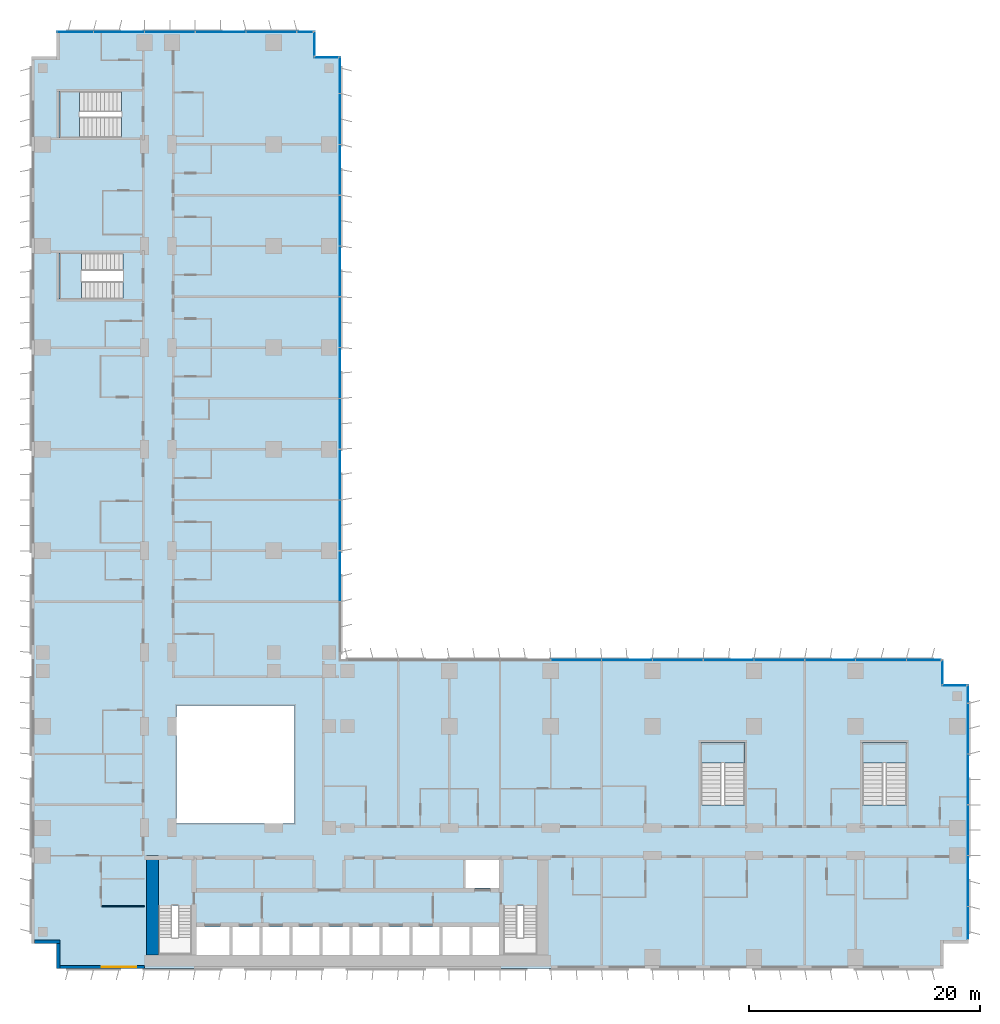
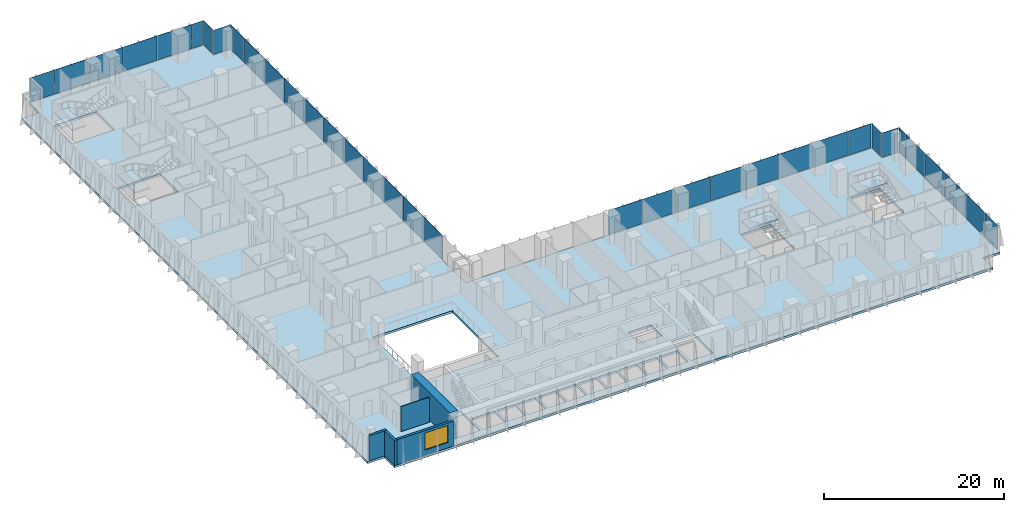
# One storey, part 11 of 24: 35 plates, 5 slabs, 5 walls, 1 window, 1 opening, 12 elements without a shape of their own.
"""IFC4 building model written with IfcOpenShell, lengths in metres."""

from ifc_helpers import new_model, si_unit, direction, frame, frame_2d, origin, origin_2d, place, context, subcontext, project, spatial, polyline, rectangle, outline, extrude, source, transform, mapped, material, layer, layer_set, type_object, element, fill, aggregate, save


model = new_model("IFC4")

# Units and contexts
model_context = context("Model", 3, precision=1e-05, world=origin(), true_north=direction((0.0, 1.0)))
body_context = subcontext(model_context, "Body", "Model", "MODEL_VIEW")
ifc_project = project(units=[si_unit("LENGTHUNIT", "METRE"), si_unit("AREAUNIT", "SQUARE_METRE"), si_unit("VOLUMEUNIT", "CUBIC_METRE"), si_unit("PLANEANGLEUNIT", "RADIAN"), si_unit("MASSUNIT", "GRAM", prefix="KILO")], contexts=[model_context])

# Site, building, storey
site_placement = place(None, origin())
site = spatial("IfcSite", under=ifc_project, at=site_placement, CompositionType="ELEMENT")
building_placement = place(site_placement, origin())
building = spatial("IfcBuilding", under=site, at=building_placement, Name="Kemantara Hotel Tower", CompositionType="ELEMENT")
storey_placement = place(building_placement, frame((0.0, 0.0, 56.199951171875)))
storey = spatial("IfcBuildingStorey", under=building, at=storey_placement, Name="L12", CompositionType="ELEMENT", Elevation=56.199951171875)

# Slab
ifc_material_1 = material(Name="Concrete fc 40 MPa", Category="concrete")
ifc_layer_1 = layer(ifc_material_1, 0.300048828125)
ifc_layer_set_1 = layer_set([ifc_layer_1], Name="Concrete fc 40 MPa")
slab_type_1 = type_object("IfcSlabType", Name="POST-TENSIONED FLAT PLATE 300", PredefinedType="FLOOR", material=ifc_layer_set_1)
slab_1_placement = place(storey_placement, frame((0.0, 0.0, -0.300048828125)))
element("IfcSlab", 1, at=slab_1_placement, inside=storey, type_object=slab_type_1, Name="FLOOR SLAB L12", PredefinedType="FLOOR", context=body_context, shape_type="SweptSolid", body=[
    extrude(outline(polyline([(0.0, 2.199951171875), (2.199951171875, 2.199951171875), (2.199951171875, 0.0), (79.0, 0.0), (79.0, 2.199951171875), (81.199951171875, 2.199951171875), (81.199951171875, 24.60009765625), (79.0, 24.60009765625), (79.0, 26.800048828125), (26.800048828125, 26.800048828125), (26.800048828125, 79.0), (24.60009765625, 79.0), (24.60009765625, 81.199951171875), (2.199951171875, 81.199951171875), (2.199951171875, 79.0), (0.0, 79.0), (0.0, 2.199951171875)]), holes=[polyline([(17.175048828125, 1.199951171875), (14.22509765625, 1.199951171875), (14.22509765625, 3.60009765625), (17.175048828125, 3.60009765625), (17.175048828125, 1.199951171875)]), polyline([(19.77490234375, 1.199951171875), (17.425048828125, 1.199951171875), (17.425048828125, 3.60009765625), (19.77490234375, 3.60009765625), (19.77490234375, 1.199951171875)]), polyline([(22.375, 1.199951171875), (20.02490234375, 1.199951171875), (20.02490234375, 3.60009765625), (22.375, 3.60009765625), (22.375, 1.199951171875)]), polyline([(24.97509765625, 1.199951171875), (22.625, 1.199951171875), (22.625, 3.60009765625), (24.97509765625, 3.60009765625), (24.97509765625, 1.199951171875)]), polyline([(27.574951171875, 1.199951171875), (25.22509765625, 1.199951171875), (25.22509765625, 3.60009765625), (27.574951171875, 3.60009765625), (27.574951171875, 1.199951171875)]), polyline([(11.0, 1.199951171875), (11.0, 5.49951171875), (13.89990234375, 5.49951171875), (13.89990234375, 1.199951171875), (11.0, 1.199951171875)]), polyline([(22.800048828125, 12.60009765625), (12.60009765625, 12.60009765625), (12.60009765625, 22.800048828125), (22.800048828125, 22.800048828125), (22.800048828125, 12.60009765625)]), polyline([(7.949462890625, 62.0), (7.949462890625, 58.0), (2.39990234375, 58.0), (2.39990234375, 62.0), (7.949462890625, 62.0)]), polyline([(7.79931640625, 76.0), (7.79931640625, 72.0), (2.39990234375, 72.0), (2.39990234375, 76.0), (7.79931640625, 76.0)]), polyline([(30.175048828125, 1.199951171875), (27.824951171875, 1.199951171875), (27.824951171875, 3.60009765625), (30.175048828125, 3.60009765625), (30.175048828125, 1.199951171875)]), polyline([(32.77490234375, 1.199951171875), (30.425048828125, 1.199951171875), (30.425048828125, 3.60009765625), (32.77490234375, 3.60009765625), (32.77490234375, 1.199951171875)]), polyline([(35.375, 1.199951171875), (33.02490234375, 1.199951171875), (33.02490234375, 3.60009765625), (35.375, 3.60009765625), (35.375, 1.199951171875)]), polyline([(37.97509765625, 1.199951171875), (35.625, 1.199951171875), (35.625, 3.60009765625), (37.97509765625, 3.60009765625), (37.97509765625, 1.199951171875)]), polyline([(40.574951171875, 1.199951171875), (38.22509765625, 1.199951171875), (38.22509765625, 3.60009765625), (40.574951171875, 3.60009765625), (40.574951171875, 1.199951171875)]), polyline([(40.89990234375, 1.199951171875), (40.89990234375, 5.49951171875), (43.800048828125, 5.49951171875), (43.800048828125, 1.199951171875), (40.89990234375, 1.199951171875)]), polyline([(40.574951171875, 7.0), (37.625, 7.0), (37.625, 9.39990234375), (40.574951171875, 9.39990234375), (40.574951171875, 7.0)]), polyline([(61.800048828125, 14.20068359375), (58.0, 14.20068359375), (58.0, 19.60009765625), (61.800048828125, 19.60009765625), (61.800048828125, 14.20068359375)]), polyline([(75.800048828125, 14.20068359375), (72.0, 14.20068359375), (72.0, 19.60009765625), (75.800048828125, 19.60009765625), (75.800048828125, 14.20068359375)])]), origin(), (0.0, 0.0, 1.0), 0.300048828125),
])

# Stair, slab
stair_type_1 = type_object("IfcStairType", Name="Stair 1800 wide 22 risers of 168 x 360 mm", PredefinedType="HALF_TURN_STAIR", material=ifc_material_1)
stair_1_placement = place(storey_placement, origin())
stair_1 = element("IfcStair", 2, at=stair_1_placement, inside=storey, type_object=stair_type_1, Name="L12 Exit stair ST3", PredefinedType="HALF_TURN_STAIR")
ifc_layer_2 = layer(ifc_material_1, 0.199951171875)
ifc_layer_set_2 = layer_set([ifc_layer_2], Name="Concrete fc 40 MPa")
slab_type_2 = type_object("IfcSlabType", Name="Stair landing 200 mm", PredefinedType="LANDING", material=ifc_layer_set_2)
slab_2_placement = place(storey_placement, frame((0.0, 0.0, 1.650146484375)))
slab_2 = element("IfcSlab", 3, at=slab_2_placement, type_object=slab_type_2, Name="ST3 landing 1", PredefinedType="LANDING", context=body_context, shape_type="SweptSolid", body=[
    extrude(outline(polyline([(61.800048828125, 17.800048828125), (61.800048828125, 19.60009765625), (58.0, 19.60009765625), (58.0, 17.800048828125), (61.800048828125, 17.800048828125)])), origin(), (0.0, 0.0, 1.0), 0.199951171875),
])
aggregate(stair_1, [slab_2])

stair_type_2 = type_object("IfcStairType", Name="Stair 1550 wide 22 risers of 168 x 360 mm", PredefinedType="HALF_TURN_STAIR", material=ifc_material_1)
stair_2_placement = place(storey_placement, origin())
stair_2 = element("IfcStair", 4, at=stair_2_placement, inside=storey, type_object=stair_type_2, Name="L12 Exit stair ST4", PredefinedType="HALF_TURN_STAIR")
slab_3_placement = place(storey_placement, frame((0.0, 0.0, 1.650146484375)))
slab_3 = element("IfcSlab", 5, at=slab_3_placement, type_object=slab_type_2, Name="ST4 landing 1", PredefinedType="LANDING", context=body_context, shape_type="SweptSolid", body=[
    extrude(outline(polyline([(4.35009765625, 62.0), (2.39990234375, 62.0), (2.39990234375, 58.0), (4.35009765625, 58.0), (4.35009765625, 62.0)])), origin(), (0.0, 0.0, 1.0), 0.199951171875),
])
aggregate(stair_2, [slab_3])

stair_3_placement = place(storey_placement, origin())
stair_3 = element("IfcStair", 6, at=stair_3_placement, inside=storey, type_object=stair_type_1, Name="L12 Exit stair ST5", PredefinedType="HALF_TURN_STAIR")
slab_4_placement = place(storey_placement, frame((0.0, 0.0, 1.650146484375)))
slab_4 = element("IfcSlab", 7, at=slab_4_placement, type_object=slab_type_2, Name="ST5 landing 1", PredefinedType="LANDING", context=body_context, shape_type="SweptSolid", body=[
    extrude(outline(polyline([(75.800048828125, 17.800048828125), (75.800048828125, 19.60009765625), (72.0, 19.60009765625), (72.0, 17.800048828125), (75.800048828125, 17.800048828125)])), origin(), (0.0, 0.0, 1.0), 0.199951171875),
])
aggregate(stair_3, [slab_4])

stair_4_placement = place(storey_placement, origin())
stair_4 = element("IfcStair", 8, at=stair_4_placement, inside=storey, type_object=stair_type_1, Name="L12 Exit stair ST6", PredefinedType="HALF_TURN_STAIR")
slab_5_placement = place(storey_placement, frame((0.0, 0.0, 1.650146484375)))
slab_5 = element("IfcSlab", 9, at=slab_5_placement, type_object=slab_type_2, Name="ST6 landing 1", PredefinedType="LANDING", context=body_context, shape_type="SweptSolid", body=[
    extrude(outline(polyline([(4.199951171875, 76.0), (2.39990234375, 76.0), (2.39990234375, 72.0), (4.199951171875, 72.0), (4.199951171875, 76.0)])), origin(), (0.0, 0.0, 1.0), 0.199951171875),
])
aggregate(stair_4, [slab_5])

# Curtain wall, plates
ifc_material_2 = material(Name="Low-E tinted double insulated glass 36 mm", Category="glass")
curtain_wall_type = type_object("IfcCurtainWallType", Name="TOWER CURTAIN WALL, FRONT FACES", PredefinedType="USERDEFINED", material=ifc_material_2)
curtain_wall_1_placement = place(storey_placement, origin())
curtain_wall_1 = element("IfcCurtainWall", 10, at=curtain_wall_1_placement, inside=storey, type_object=curtain_wall_type, Name="CW4 L12 T1-R04-1", ObjectType="TOWER CURTAIN WALL, FRONT FACES", PredefinedType="USERDEFINED")
ifc_layer_3 = layer(ifc_material_2, 0.035888671875)
ifc_layer_set_3 = layer_set([ifc_layer_3], Name="Low-E tinted double insulated glass 36 mm")
plate_type = type_object("IfcPlateType", Name="TOWER CURTAIN WALL, FRONT FACES PANEL", PredefinedType="CURTAIN_PANEL", material=ifc_layer_set_3)
shared_shape_1 = source(origin(), body_context, "Body", "SweptSolid", [
    extrude(rectangle(XDim=2.81005859375, YDim=0.035888671875, at=origin_2d()), origin(), (0.0, 0.0, 1.0), 3.280029296875),
])
plate_1_placement = place(storey_placement, frame((81.125, 3.965087890625, 0.1201171875), z_axis=(0.0, 0.0, 1.0), x_axis=(0.0, 1.0, 0.0)))
plate_1 = element("IfcPlate", 11, at=plate_1_placement, type_object=plate_type, Name="CW4 glass panel T1-R04-1.1", PredefinedType="CURTAIN_PANEL", context=body_context, shape_type="MappedRepresentation", body=[
    mapped(shared_shape_1, transform((0.0, 0.0, 0.0))),
])
shared_shape_2 = source(origin(), body_context, "Body", "SweptSolid", [
    extrude(rectangle(XDim=4.340087890625, YDim=0.035888671875, at=origin_2d()), origin(), (0.0, 0.0, 1.0), 3.280029296875),
])
plate_2_placement = place(storey_placement, frame((81.125, 7.60009765625, 0.1201171875), z_axis=(0.0, 0.0, 1.0), x_axis=(0.0, 1.0, 0.0)))
plate_2 = element("IfcPlate", 12, at=plate_2_placement, type_object=plate_type, Name="CW4 glass panel T1-R04-1.2", PredefinedType="CURTAIN_PANEL", context=body_context, shape_type="MappedRepresentation", body=[
    mapped(shared_shape_2, transform((0.0, 0.0, 0.0))),
])
plate_3_placement = place(storey_placement, frame((81.125, 12.0, 0.1201171875), z_axis=(0.0, 0.0, 1.0), x_axis=(0.0, 1.0, 0.0)))
plate_3 = element("IfcPlate", 13, at=plate_3_placement, type_object=plate_type, Name="CW4 glass panel T1-R04-1.3", PredefinedType="CURTAIN_PANEL", context=body_context, shape_type="MappedRepresentation", body=[
    mapped(shared_shape_2, transform((0.0, 0.0, 0.0))),
])
plate_4_placement = place(storey_placement, frame((81.125, 16.39990234375, 0.1201171875), z_axis=(0.0, 0.0, 1.0), x_axis=(0.0, 1.0, 0.0)))
plate_4 = element("IfcPlate", 14, at=plate_4_placement, type_object=plate_type, Name="CW4 glass panel T1-R04-1.4", PredefinedType="CURTAIN_PANEL", context=body_context, shape_type="MappedRepresentation", body=[
    mapped(shared_shape_2, transform((0.0, 0.0, 0.0))),
])
plate_5_placement = place(storey_placement, frame((81.125, 20.800048828125, 0.1201171875), z_axis=(0.0, 0.0, 1.0), x_axis=(0.0, 1.0, 0.0)))
plate_5 = element("IfcPlate", 15, at=plate_5_placement, type_object=plate_type, Name="CW4 glass panel T1-R04-1.5", PredefinedType="CURTAIN_PANEL", context=body_context, shape_type="MappedRepresentation", body=[
    mapped(shared_shape_2, transform((0.0, 0.0, 0.0))),
])

curtain_wall_2_placement = place(storey_placement, origin())
curtain_wall_2 = element("IfcCurtainWall", 16, at=curtain_wall_2_placement, inside=storey, type_object=curtain_wall_type, Name="CW4 L12 T1-R07-1", ObjectType="TOWER CURTAIN WALL, FRONT FACES", PredefinedType="USERDEFINED")
plate_6_placement = place(storey_placement, frame((73.60009765625, 26.72509765625, 0.1201171875), z_axis=(0.0, 0.0, 1.0), x_axis=(-1.0, 0.0, 0.0)))
plate_6 = element("IfcPlate", 17, at=plate_6_placement, type_object=plate_type, Name="CW4 glass panel T1-R07-1.2", PredefinedType="CURTAIN_PANEL", context=body_context, shape_type="MappedRepresentation", body=[
    mapped(shared_shape_2, transform((0.0, 0.0, 0.0))),
])
plate_7_placement = place(storey_placement, frame((69.199951171875, 26.72509765625, 0.1201171875), z_axis=(0.0, 0.0, 1.0), x_axis=(-1.0, 0.0, 0.0)))
plate_7 = element("IfcPlate", 18, at=plate_7_placement, type_object=plate_type, Name="CW4 glass panel T1-R07-1.3", PredefinedType="CURTAIN_PANEL", context=body_context, shape_type="MappedRepresentation", body=[
    mapped(shared_shape_2, transform((0.0, 0.0, 0.0))),
])
plate_8_placement = place(storey_placement, frame((64.800048828125, 26.72509765625, 0.1201171875), z_axis=(0.0, 0.0, 1.0), x_axis=(-1.0, 0.0, 0.0)))
plate_8 = element("IfcPlate", 19, at=plate_8_placement, type_object=plate_type, Name="CW4 glass panel T1-R07-1.4", PredefinedType="CURTAIN_PANEL", context=body_context, shape_type="MappedRepresentation", body=[
    mapped(shared_shape_2, transform((0.0, 0.0, 0.0))),
])
plate_9_placement = place(storey_placement, frame((60.39990234375, 26.72509765625, 0.1201171875), z_axis=(0.0, 0.0, 1.0), x_axis=(-1.0, 0.0, 0.0)))
plate_9 = element("IfcPlate", 20, at=plate_9_placement, type_object=plate_type, Name="CW4 glass panel T1-R07-1.5", PredefinedType="CURTAIN_PANEL", context=body_context, shape_type="MappedRepresentation", body=[
    mapped(shared_shape_2, transform((0.0, 0.0, 0.0))),
])
plate_10_placement = place(storey_placement, frame((56.0, 26.72509765625, 0.1201171875), z_axis=(0.0, 0.0, 1.0), x_axis=(-1.0, 0.0, 0.0)))
plate_10 = element("IfcPlate", 21, at=plate_10_placement, type_object=plate_type, Name="CW4 glass panel T1-R07-1.6", PredefinedType="CURTAIN_PANEL", context=body_context, shape_type="MappedRepresentation", body=[
    mapped(shared_shape_2, transform((0.0, 0.0, 0.0))),
])
plate_11_placement = place(storey_placement, frame((51.60009765625, 26.72509765625, 0.1201171875), z_axis=(0.0, 0.0, 1.0), x_axis=(-1.0, 0.0, 0.0)))
plate_11 = element("IfcPlate", 22, at=plate_11_placement, type_object=plate_type, Name="CW4 glass panel T1-R07-1.7", PredefinedType="CURTAIN_PANEL", context=body_context, shape_type="MappedRepresentation", body=[
    mapped(shared_shape_2, transform((0.0, 0.0, 0.0))),
])
plate_12_placement = place(storey_placement, frame((47.199951171875, 26.72509765625, 0.1201171875), z_axis=(0.0, 0.0, 1.0), x_axis=(-1.0, 0.0, 0.0)))
plate_12 = element("IfcPlate", 23, at=plate_12_placement, type_object=plate_type, Name="CW4 glass panel T1-R07-1.8", PredefinedType="CURTAIN_PANEL", context=body_context, shape_type="MappedRepresentation", body=[
    mapped(shared_shape_2, transform((0.0, 0.0, 0.0))),
])

curtain_wall_3_placement = place(storey_placement, origin())
curtain_wall_3 = element("IfcCurtainWall", 24, at=curtain_wall_3_placement, inside=storey, type_object=curtain_wall_type, Name="CW4 L12 T1-R08-1", ObjectType="TOWER CURTAIN WALL, FRONT FACES", PredefinedType="USERDEFINED")
plate_13_placement = place(storey_placement, frame((26.72509765625, 34.0, 0.1201171875), z_axis=(0.0, 0.0, 1.0), x_axis=(0.0, 1.0, 0.0)))
plate_13 = element("IfcPlate", 25, at=plate_13_placement, type_object=plate_type, Name="CW4 glass panel T1-R08-1.3", PredefinedType="CURTAIN_PANEL", context=body_context, shape_type="MappedRepresentation", body=[
    mapped(shared_shape_2, transform((0.0, 0.0, 0.0))),
])
plate_14_placement = place(storey_placement, frame((26.72509765625, 38.39990234375, 0.1201171875), z_axis=(0.0, 0.0, 1.0), x_axis=(0.0, 1.0, 0.0)))
plate_14 = element("IfcPlate", 26, at=plate_14_placement, type_object=plate_type, Name="CW4 glass panel T1-R08-1.4", PredefinedType="CURTAIN_PANEL", context=body_context, shape_type="MappedRepresentation", body=[
    mapped(shared_shape_2, transform((0.0, 0.0, 0.0))),
])
plate_15_placement = place(storey_placement, frame((26.72509765625, 42.800048828125, 0.1201171875), z_axis=(0.0, 0.0, 1.0), x_axis=(0.0, 1.0, 0.0)))
plate_15 = element("IfcPlate", 27, at=plate_15_placement, type_object=plate_type, Name="CW4 glass panel T1-R08-1.5", PredefinedType="CURTAIN_PANEL", context=body_context, shape_type="MappedRepresentation", body=[
    mapped(shared_shape_2, transform((0.0, 0.0, 0.0))),
])
plate_16_placement = place(storey_placement, frame((26.72509765625, 47.199951171875, 0.1201171875), z_axis=(0.0, 0.0, 1.0), x_axis=(0.0, 1.0, 0.0)))
plate_16 = element("IfcPlate", 28, at=plate_16_placement, type_object=plate_type, Name="CW4 glass panel T1-R08-1.6", PredefinedType="CURTAIN_PANEL", context=body_context, shape_type="MappedRepresentation", body=[
    mapped(shared_shape_2, transform((0.0, 0.0, 0.0))),
])
plate_17_placement = place(storey_placement, frame((26.72509765625, 51.60009765625, 0.1201171875), z_axis=(0.0, 0.0, 1.0), x_axis=(0.0, 1.0, 0.0)))
plate_17 = element("IfcPlate", 29, at=plate_17_placement, type_object=plate_type, Name="CW4 glass panel T1-R08-1.7", PredefinedType="CURTAIN_PANEL", context=body_context, shape_type="MappedRepresentation", body=[
    mapped(shared_shape_2, transform((0.0, 0.0, 0.0))),
])
plate_18_placement = place(storey_placement, frame((26.72509765625, 56.0, 0.1201171875), z_axis=(0.0, 0.0, 1.0), x_axis=(0.0, 1.0, 0.0)))
plate_18 = element("IfcPlate", 30, at=plate_18_placement, type_object=plate_type, Name="CW4 glass panel T1-R08-1.8", PredefinedType="CURTAIN_PANEL", context=body_context, shape_type="MappedRepresentation", body=[
    mapped(shared_shape_2, transform((0.0, 0.0, 0.0))),
])
plate_19_placement = place(storey_placement, frame((26.72509765625, 60.39990234375, 0.1201171875), z_axis=(0.0, 0.0, 1.0), x_axis=(0.0, 1.0, 0.0)))
plate_19 = element("IfcPlate", 31, at=plate_19_placement, type_object=plate_type, Name="CW4 glass panel T1-R08-1.9", PredefinedType="CURTAIN_PANEL", context=body_context, shape_type="MappedRepresentation", body=[
    mapped(shared_shape_2, transform((0.0, 0.0, 0.0))),
])
plate_20_placement = place(storey_placement, frame((26.72509765625, 64.800048828125, 0.1201171875), z_axis=(0.0, 0.0, 1.0), x_axis=(0.0, 1.0, 0.0)))
plate_20 = element("IfcPlate", 32, at=plate_20_placement, type_object=plate_type, Name="CW4 glass panel T1-R08-1.10", PredefinedType="CURTAIN_PANEL", context=body_context, shape_type="MappedRepresentation", body=[
    mapped(shared_shape_2, transform((0.0, 0.0, 0.0))),
])
plate_21_placement = place(storey_placement, frame((26.72509765625, 69.199951171875, 0.1201171875), z_axis=(0.0, 0.0, 1.0), x_axis=(0.0, 1.0, 0.0)))
plate_21 = element("IfcPlate", 33, at=plate_21_placement, type_object=plate_type, Name="CW4 glass panel T1-R08-1.11", PredefinedType="CURTAIN_PANEL", context=body_context, shape_type="MappedRepresentation", body=[
    mapped(shared_shape_2, transform((0.0, 0.0, 0.0))),
])
plate_22_placement = place(storey_placement, frame((26.72509765625, 73.60009765625, 0.1201171875), z_axis=(0.0, 0.0, 1.0), x_axis=(0.0, 1.0, 0.0)))
plate_22 = element("IfcPlate", 34, at=plate_22_placement, type_object=plate_type, Name="CW4 glass panel T1-R08-1.12", PredefinedType="CURTAIN_PANEL", context=body_context, shape_type="MappedRepresentation", body=[
    mapped(shared_shape_2, transform((0.0, 0.0, 0.0))),
])

curtain_wall_4_placement = place(storey_placement, origin())
curtain_wall_4 = element("IfcCurtainWall", 35, at=curtain_wall_4_placement, inside=storey, type_object=curtain_wall_type, Name="CW4 L12 T1-R11-1", ObjectType="TOWER CURTAIN WALL, FRONT FACES", PredefinedType="USERDEFINED")
plate_23_placement = place(storey_placement, frame((20.800048828125, 81.125, 0.1201171875), z_axis=(0.0, 0.0, 1.0), x_axis=(-1.0, 0.0, 0.0)))
plate_23 = element("IfcPlate", 36, at=plate_23_placement, type_object=plate_type, Name="CW4 glass panel T1-R11-1.2", PredefinedType="CURTAIN_PANEL", context=body_context, shape_type="MappedRepresentation", body=[
    mapped(shared_shape_2, transform((0.0, 0.0, 0.0))),
])
plate_24_placement = place(storey_placement, frame((16.39990234375, 81.125, 0.1201171875), z_axis=(0.0, 0.0, 1.0), x_axis=(-1.0, 0.0, 0.0)))
plate_24 = element("IfcPlate", 37, at=plate_24_placement, type_object=plate_type, Name="CW4 glass panel T1-R11-1.3", PredefinedType="CURTAIN_PANEL", context=body_context, shape_type="MappedRepresentation", body=[
    mapped(shared_shape_2, transform((0.0, 0.0, 0.0))),
])
plate_25_placement = place(storey_placement, frame((12.0, 81.125, 0.1201171875), z_axis=(0.0, 0.0, 1.0), x_axis=(-1.0, 0.0, 0.0)))
plate_25 = element("IfcPlate", 38, at=plate_25_placement, type_object=plate_type, Name="CW4 glass panel T1-R11-1.4", PredefinedType="CURTAIN_PANEL", context=body_context, shape_type="MappedRepresentation", body=[
    mapped(shared_shape_2, transform((0.0, 0.0, 0.0))),
])
plate_26_placement = place(storey_placement, frame((7.60009765625, 81.125, 0.1201171875), z_axis=(0.0, 0.0, 1.0), x_axis=(-1.0, 0.0, 0.0)))
plate_26 = element("IfcPlate", 39, at=plate_26_placement, type_object=plate_type, Name="CW4 glass panel T1-R11-1.5", PredefinedType="CURTAIN_PANEL", context=body_context, shape_type="MappedRepresentation", body=[
    mapped(shared_shape_2, transform((0.0, 0.0, 0.0))),
])

# Plate
shared_shape_3 = source(origin(), body_context, "Body", "SweptSolid", [
    extrude(rectangle(XDim=1.510009765625, YDim=0.035888671875, at=origin_2d()), origin(), (0.0, 0.0, 1.0), 3.280029296875),
])
plate_27_placement = place(storey_placement, frame((81.125, 23.784912109375, 0.1201171875), z_axis=(0.0, 0.0, 1.0), x_axis=(0.0, 1.0, 0.0)))
plate_27 = element("IfcPlate", 40, at=plate_27_placement, type_object=plate_type, Name="CW4 glass panel T1-R04-1.6", PredefinedType="CURTAIN_PANEL", context=body_context, shape_type="MappedRepresentation", body=[
    mapped(shared_shape_3, transform((0.0, 0.0, 0.0))),
])

aggregate(curtain_wall_1, [plate_1, plate_2, plate_3, plate_4, plate_5, plate_27])

shared_shape_4 = source(origin(), body_context, "Body", "SweptSolid", [
    extrude(rectangle(XDim=1.360107421875, YDim=0.035888671875, at=origin_2d()), origin(), (0.0, 0.0, 1.0), 3.280029296875),
])
plate_28_placement = place(storey_placement, frame((23.7099609375, 81.125, 0.1201171875), z_axis=(0.0, 0.0, 1.0), x_axis=(-1.0, 0.0, 0.0)))
plate_28 = element("IfcPlate", 41, at=plate_28_placement, type_object=plate_type, Name="CW4 glass panel T1-R11-1.1", PredefinedType="CURTAIN_PANEL", context=body_context, shape_type="MappedRepresentation", body=[
    mapped(shared_shape_4, transform((0.0, 0.0, 0.0))),
])

shared_shape_5 = source(origin(), body_context, "Body", "SweptSolid", [
    extrude(rectangle(XDim=3.110107421875, YDim=0.035888671875, at=origin_2d()), origin(), (0.0, 0.0, 1.0), 3.280029296875),
])
plate_29_placement = place(storey_placement, frame((26.72509765625, 77.385009765625, 0.1201171875), z_axis=(0.0, 0.0, 1.0), x_axis=(0.0, 1.0, 0.0)))
plate_29 = element("IfcPlate", 42, at=plate_29_placement, type_object=plate_type, Name="CW4 glass panel T1-R08-1.13", PredefinedType="CURTAIN_PANEL", context=body_context, shape_type="MappedRepresentation", body=[
    mapped(shared_shape_5, transform((0.0, 0.0, 0.0))),
])

aggregate(curtain_wall_3, [plate_13, plate_14, plate_15, plate_16, plate_17, plate_18, plate_19, plate_20, plate_21, plate_22, plate_29])

plate_30_placement = place(storey_placement, frame((3.81494140625, 81.125, 0.1201171875), z_axis=(0.0, 0.0, 1.0), x_axis=(-1.0, 0.0, 0.0)))
plate_30 = element("IfcPlate", 43, at=plate_30_placement, type_object=plate_type, Name="CW4 glass panel T1-R11-1.6", PredefinedType="CURTAIN_PANEL", context=body_context, shape_type="MappedRepresentation", body=[
    mapped(shared_shape_5, transform((0.0, 0.0, 0.0))),
])

aggregate(curtain_wall_4, [plate_28, plate_23, plate_24, plate_25, plate_26, plate_30])

# Curtain wall, plate
curtain_wall_5_placement = place(storey_placement, origin())
curtain_wall_5 = element("IfcCurtainWall", 44, at=curtain_wall_5_placement, inside=storey, type_object=curtain_wall_type, Name="CW4 L12 T1-R05-1", ObjectType="TOWER CURTAIN WALL, FRONT FACES", PredefinedType="USERDEFINED")
shared_shape_6 = source(origin(), body_context, "Body", "SweptSolid", [
    extrude(rectangle(XDim=2.080078125, YDim=0.035888671875, at=origin_2d()), origin(), (0.0, 0.0, 1.0), 3.280029296875),
])
plate_31_placement = place(storey_placement, frame((79.949951171875, 24.52490234375, 0.1201171875), z_axis=(0.0, 0.0, 1.0), x_axis=(-1.0, 0.0, 0.0)))
plate_31 = element("IfcPlate", 45, at=plate_31_placement, type_object=plate_type, Name="CW4 glass panel T1-R05-1.1", PredefinedType="CURTAIN_PANEL", context=body_context, shape_type="MappedRepresentation", body=[
    mapped(shared_shape_6, transform((0.0, 0.0, 0.0))),
])
aggregate(curtain_wall_5, [plate_31])

curtain_wall_6_placement = place(storey_placement, origin())
curtain_wall_6 = element("IfcCurtainWall", 46, at=curtain_wall_6_placement, inside=storey, type_object=curtain_wall_type, Name="CW4 L12 T1-R06-1", ObjectType="TOWER CURTAIN WALL, FRONT FACES", PredefinedType="USERDEFINED")
plate_32_placement = place(storey_placement, frame((78.925048828125, 25.699951171875, 0.1201171875), z_axis=(0.0, 0.0, 1.0), x_axis=(0.0, 1.0, 0.0)))
plate_32 = element("IfcPlate", 47, at=plate_32_placement, type_object=plate_type, Name="CW4 glass panel T1-R06-1.1", PredefinedType="CURTAIN_PANEL", context=body_context, shape_type="MappedRepresentation", body=[
    mapped(shared_shape_6, transform((0.0, 0.0, 0.0))),
])
aggregate(curtain_wall_6, [plate_32])

curtain_wall_7_placement = place(storey_placement, origin())
curtain_wall_7 = element("IfcCurtainWall", 48, at=curtain_wall_7_placement, inside=storey, type_object=curtain_wall_type, Name="CW4 L12 T1-R09-1", ObjectType="TOWER CURTAIN WALL, FRONT FACES", PredefinedType="USERDEFINED")
plate_33_placement = place(storey_placement, frame((25.550048828125, 78.925048828125, 0.1201171875), z_axis=(0.0, 0.0, 1.0), x_axis=(-1.0, 0.0, 0.0)))
plate_33 = element("IfcPlate", 49, at=plate_33_placement, type_object=plate_type, Name="CW4 glass panel T1-R09-1.1", PredefinedType="CURTAIN_PANEL", context=body_context, shape_type="MappedRepresentation", body=[
    mapped(shared_shape_6, transform((0.0, 0.0, 0.0))),
])
aggregate(curtain_wall_7, [plate_33])

curtain_wall_8_placement = place(storey_placement, origin())
curtain_wall_8 = element("IfcCurtainWall", 50, at=curtain_wall_8_placement, inside=storey, type_object=curtain_wall_type, Name="CW4 L12 T1-R10-1", ObjectType="TOWER CURTAIN WALL, FRONT FACES", PredefinedType="USERDEFINED")
plate_34_placement = place(storey_placement, frame((24.52490234375, 80.10009765625, 0.1201171875), z_axis=(0.0, 0.0, 1.0), x_axis=(0.0, 1.0, 0.0)))
plate_34 = element("IfcPlate", 51, at=plate_34_placement, type_object=plate_type, Name="CW4 glass panel T1-R10-1.1", PredefinedType="CURTAIN_PANEL", context=body_context, shape_type="MappedRepresentation", body=[
    mapped(shared_shape_6, transform((0.0, 0.0, 0.0))),
])
aggregate(curtain_wall_8, [plate_34])

# Plate
shared_shape_7 = source(origin(), body_context, "Body", "SweptSolid", [
    extrude(rectangle(XDim=2.9599609375, YDim=0.035888671875, at=origin_2d()), origin(), (0.0, 0.0, 1.0), 3.280029296875),
])
plate_35_placement = place(storey_placement, frame((77.31005859375, 26.72509765625, 0.1201171875), z_axis=(0.0, 0.0, 1.0), x_axis=(-1.0, 0.0, 0.0)))
plate_35 = element("IfcPlate", 52, at=plate_35_placement, type_object=plate_type, Name="CW4 glass panel T1-R07-1.1", PredefinedType="CURTAIN_PANEL", context=body_context, shape_type="MappedRepresentation", body=[
    mapped(shared_shape_7, transform((0.0, 0.0, 0.0))),
])

aggregate(curtain_wall_2, [plate_35, plate_6, plate_7, plate_8, plate_9, plate_10, plate_11, plate_12])

# Wall
ifc_material_3 = material(Name="Bronze anodised aluminium cladding on insulated steel stud wall", Category="steel")
ifc_layer_4 = layer(ifc_material_3, 0.300048828125)
ifc_layer_set_4 = layer_set([ifc_layer_4], Name="Bronze anodised aluminium cladding on insulated steel stud wall")
wall_type_1 = type_object("IfcWallType", Name="BRONZE METAL-CLAD EXTERNAL WALL 300", PredefinedType="STANDARD", material=ifc_layer_set_4)
wall_1_placement = place(storey_placement, frame((2.35009765625, 2.199951171875, 0.0), z_axis=(0.0, 0.0, 1.0), x_axis=(0.0, -1.0, 0.0)))
element("IfcWall", 53, at=wall_1_placement, inside=storey, type_object=wall_type_1, Name="EXTERNAL WALL L12 T1-R00", PredefinedType="STANDARD", context=body_context, shape_type="SweptSolid", body=[
    extrude(rectangle(XDim=2.199951171875, YDim=0.300048828125, at=frame_2d((1.10009765625, 0.0))), origin(), (0.0, 0.0, 1.0), 3.400146484375),
])

# Wall, opening, window
wall_2_placement = place(storey_placement, frame((2.5, 0.14990234375, 0.0), z_axis=(0.0, 0.0, 1.0), x_axis=(1.0, 0.0, 0.0)))
wall_2 = element("IfcWall", 54, at=wall_2_placement, inside=storey, type_object=wall_type_1, Name="EXTERNAL WALL L12 T1-R01", PredefinedType="STANDARD", context=body_context, shape_type="SweptSolid", body=[
    extrude(rectangle(XDim=7.300048828125, YDim=0.300048828125, at=frame_2d((3.64990234375, 0.0))), origin(), (0.0, 0.0, 1.0), 3.400146484375),
])
opening_placement = place(wall_2_placement, frame((3.60009765625, 0.0, 0.75)))
opening = element("IfcOpeningElement", 55, at=opening_placement, cuts=wall_2, Name="Opening W1", PredefinedType="OPENING", context=body_context, shape_type="SweptSolid", body=[
    extrude(rectangle(XDim=3.0, YDim=2.300048828125, at=frame_2d((1.5, 1.14990234375))), frame((0.0, 0.159912109375, 0.0), z_axis=(0.0, -1.0, 0.0), x_axis=(1.0, 0.0, 0.0)), (0.0, 0.0, 1.0), 0.320068359375),
])
ifc_material_4 = material(Name="Low-E tinted double insulated glass in bronze anodised aluminium frame", Category="aluminium")
window_type = type_object("IfcWindowType", Name="CHICAGO WINDOW, TRIPLE PANEL 3000x2300", PartitioningType="TRIPLE_PANEL_VERTICAL", PredefinedType="WINDOW", material=ifc_material_4)
window_placement = place(opening_placement, origin())
window = element("IfcWindow", 56, at=window_placement, inside=storey, type_object=window_type, Name="CHICAGO WINDOW L12 T1-R01-54", OverallHeight=2.300048828125, OverallWidth=3.0, PartitioningType="SINGLE_PANEL", PredefinedType="WINDOW", context=body_context, shape_type="SweptSolid", body=[
    extrude(rectangle(XDim=3.0, YDim=2.300048828125, at=frame_2d((1.5, 1.14990234375))), frame((0.0, 0.030029296875, 0.0), z_axis=(0.0, -1.0, 0.0), x_axis=(1.0, 0.0, 0.0)), (0.0, 0.0, 1.0), 0.06005859375),
])
fill(opening, window)

# Walls
wall_3_placement = place(storey_placement, frame((0.300048828125, 2.35009765625, 0.0), z_axis=(0.0, 0.0, 1.0), x_axis=(1.0, 0.0, 0.0)))
element("IfcWall", 57, at=wall_3_placement, inside=storey, type_object=wall_type_1, Name="EXTERNAL WALL L12 T1-R15", PredefinedType="STANDARD", context=body_context, shape_type="SweptSolid", body=[
    extrude(rectangle(XDim=2.199951171875, YDim=0.300048828125, at=frame_2d((1.10009765625, 0.0))), origin(), (0.0, 0.0, 1.0), 3.400146484375),
])
ifc_material_5 = material(Name="Concrete fc 70 MPa", Category="concrete")
ifc_layer_5 = layer(ifc_material_5, 1.0)
ifc_layer_set_5 = layer_set([ifc_layer_5], Name="Concrete fc 70 MPa")
wall_type_2 = type_object("IfcWallType", Name="CORE WALL 1000 FC70", PredefinedType="SHEAR", material=ifc_layer_set_5)
wall_4_placement = place(storey_placement, frame((10.5, 1.199951171875, 0.0), z_axis=(0.0, 0.0, 1.0), x_axis=(0.0, 1.0, 0.0)))
element("IfcWall", 58, at=wall_4_placement, inside=storey, type_object=wall_type_2, Name="CORE WALL CW-W", PredefinedType="SHEAR", context=body_context, shape_type="SweptSolid", body=[
    extrude(rectangle(XDim=8.60009765625, YDim=1.0, at=frame_2d((4.300048828125, 0.0))), origin(), (0.0, 0.0, 1.0), 3.699951171875),
])
ifc_material_6 = material(Name="Gypsum board partition on steel studs, 100 mm", Category="steel")
ifc_layer_6 = layer(ifc_material_6, 0.10009765625)
ifc_layer_set_6 = layer_set([ifc_layer_6], Name="Gypsum board partition on steel studs, 100 mm")
wall_type_3 = type_object("IfcWallType", Name="ROOM PARTITION 100", PredefinedType="PARTITIONING", material=ifc_layer_set_6)
wall_5_placement = place(storey_placement, frame((6.10009765625, 5.39990234375, 0.0), z_axis=(0.0, 0.0, 1.0), x_axis=(1.0, 0.0, 0.0)))
element("IfcWall", 59, at=wall_5_placement, inside=storey, type_object=wall_type_3, Name="ROOM PARTITION 100 097", PredefinedType="PARTITIONING", context=body_context, shape_type="SweptSolid", body=[
    extrude(rectangle(XDim=3.69970703125, YDim=0.10009765625, at=frame_2d((1.849853515625, 0.0))), origin(), (0.0, 0.0, 1.0), 3.400146484375),
])

save(model, "model.ifc")
